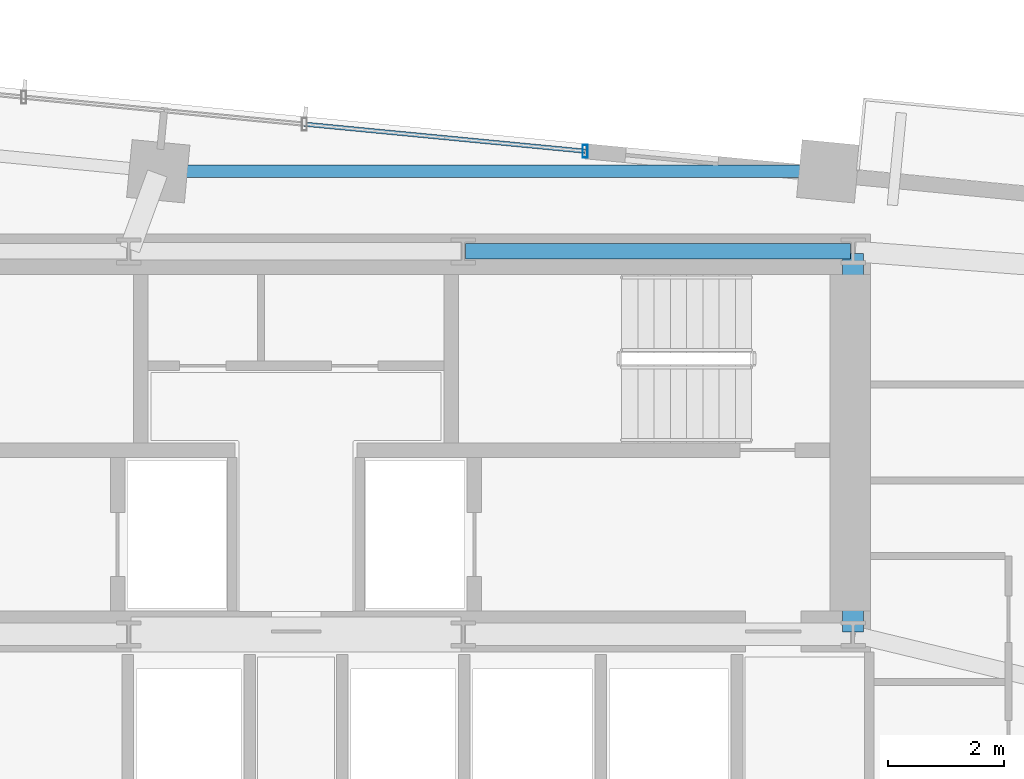
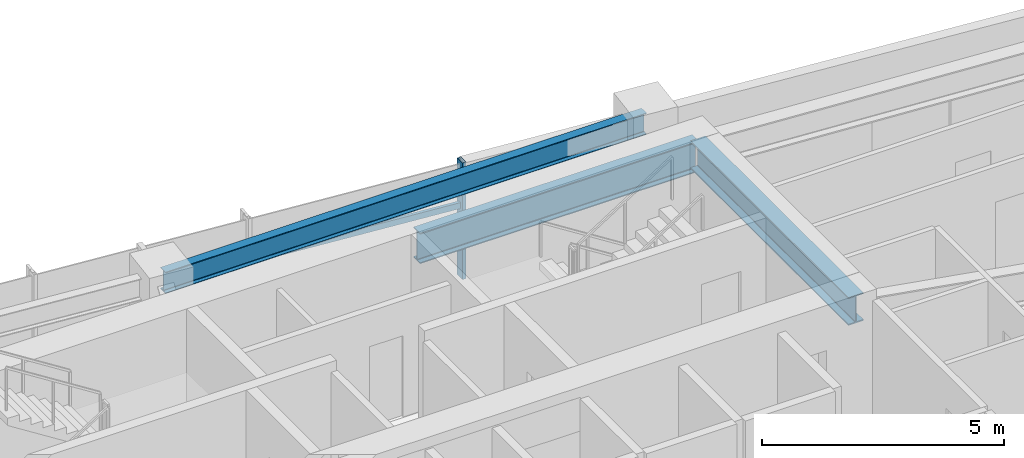
# One storey, part 12 of 20: 3 beams, 2 members, 1 element without a shape of its own.
"""IFC4 building model written with IfcOpenShell, lengths in metres."""

from ifc_helpers import new_model, si_unit, direction, frame, origin, origin_2d, place, context, subcontext, project, spatial, hollow_rectangle, i_section, extrude, source, transform, mapped, material, material_profile, profile_set, type_object, type_shapes, element, aggregate, save


model = new_model("IFC4")

# Units and contexts
model_context = context("Model", 3, precision=1e-05, world=origin(), true_north=direction((0.0, 1.0)))
body_context = subcontext(model_context, "Body", "Model", "MODEL_VIEW")
ifc_project = project(units=[si_unit("LENGTHUNIT", "METRE"), si_unit("AREAUNIT", "SQUARE_METRE"), si_unit("VOLUMEUNIT", "CUBIC_METRE"), si_unit("PLANEANGLEUNIT", "RADIAN"), si_unit("MASSUNIT", "GRAM", prefix="KILO")], contexts=[model_context])

# Site, building, storey
site_placement = place(None, origin())
site = spatial("IfcSite", under=ifc_project, at=site_placement, CompositionType="ELEMENT")
building_placement = place(site_placement, origin())
building = spatial("IfcBuilding", under=site, at=building_placement, Name="Astriad Promenade Condominiums", CompositionType="ELEMENT")
storey_placement = place(building_placement, frame((0.0, 0.0, 153.39990234375)))
storey = spatial("IfcBuildingStorey", under=building, at=storey_placement, Name="L44", CompositionType="ELEMENT", Elevation=153.39990234375)

# Beams
ifc_material_1 = material(Name="Steel ASTM A992 Grade 50", Category="steel")
ifc_material_profile_1 = material_profile(ifc_material_1, i_section(OverallWidth=0.267822265625, OverallDepth=0.76953125, WebThickness=0.015625, FlangeThickness=0.025390625, FilletRadius=0.021484375, at=origin_2d()), Name="W30X132")
ifc_profile_set_1 = profile_set([ifc_material_profile_1], Name="Steel ASTM A992 Grade 50")
beam_type_1 = type_object("IfcBeamType", Name="STEEL FLOOR GIRDER W30X132", PredefinedType="BEAM", material=ifc_profile_set_1)
shared_shape_1 = source(origin(), body_context, "Body", "SweptSolid", [
    extrude(i_section(OverallWidth=0.267822265625, OverallDepth=0.76953125, WebThickness=0.015625, FlangeThickness=0.025390625, FilletRadius=0.021484375, at=origin_2d()), origin(), (0.0, 0.0, 1.0), 6.64013671875),
])
type_shapes(beam_type_1, [shared_shape_1])
beam_1_placement = place(storey_placement, frame((38.919921875, 24.0, 2.55517578125), z_axis=(1.0, 0.0, 0.0), x_axis=(0.0, 1.0, 0.0)))
element("IfcBeam", 1, at=beam_1_placement, inside=storey, type_object=beam_type_1, Name="Core Ring Beam CG-N3-L44", PredefinedType="BEAM", context=body_context, shape_type="MappedRepresentation", body=[
    mapped(shared_shape_1, transform((0.0, 0.0, 0.0), scale=1.0)),
])
ifc_material_profile_2 = material_profile(ifc_material_1, i_section(OverallWidth=0.35791015625, OverallDepth=0.706298828125, WebThickness=0.018310546875, FlangeThickness=0.0302734375, FilletRadius=0.020263671875, at=origin_2d()), Name="W27X178")
ifc_profile_set_2 = profile_set([ifc_material_profile_2], Name="Steel ASTM A992 Grade 50")
beam_type_2 = type_object("IfcBeamType", Name="STEEL FLOOR GIRDER W27X178", PredefinedType="BEAM", material=ifc_profile_set_2)
shared_shape_2 = source(origin(), body_context, "Body", "SweptSolid", [
    extrude(i_section(OverallWidth=0.35791015625, OverallDepth=0.706298828125, WebThickness=0.018310546875, FlangeThickness=0.0302734375, FilletRadius=0.020263671875, at=origin_2d()), origin(), (0.0, 0.0, 1.0), 6.52001953125),
])
type_shapes(beam_type_2, [shared_shape_2])
beam_2_placement = place(storey_placement, frame((45.60009765625, 17.43994140625, 2.5869140625), z_axis=(0.0, 1.0, 0.0), x_axis=(-1.0, 0.0, 0.0)))
element("IfcBeam", 2, at=beam_2_placement, inside=storey, type_object=beam_type_2, Name="Core Ring Beam CG-E1-L44", PredefinedType="BEAM", context=body_context, shape_type="MappedRepresentation", body=[
    mapped(shared_shape_2, transform((0.0, 0.0, 0.0), scale=1.0)),
])
ifc_material_profile_3 = material_profile(ifc_material_1, i_section(OverallWidth=0.210693359375, OverallDepth=0.53955078125, WebThickness=0.01171875, FlangeThickness=0.018798828125, FilletRadius=0.0166015625, at=origin_2d()), Name="W21X73")
ifc_profile_set_3 = profile_set([ifc_material_profile_3], Name="Steel ASTM A992 Grade 50")
beam_type_3 = type_object("IfcBeamType", Name="STEEL SPANDREL BEAM W21X73", PredefinedType="SPANDREL", material=ifc_profile_set_3)
shared_shape_3 = source(origin(), body_context, "Body", "SweptSolid", [
    extrude(i_section(OverallWidth=0.210693359375, OverallDepth=0.53955078125, WebThickness=0.01171875, FlangeThickness=0.018798828125, FilletRadius=0.0166015625, at=origin_2d()), origin(), (0.0, 0.0, 1.0), 11.466552734375),
])
type_shapes(beam_type_3, [shared_shape_3])
beam_3_placement = place(storey_placement, frame((45.1328125, 25.3798828125, 2.67041015625), z_axis=(-0.999999999093, 4.258309e-05, 0.0), x_axis=(-4.258309e-05, -0.999999999093, 0.0)))
element("IfcBeam", 3, at=beam_3_placement, inside=storey, type_object=beam_type_3, Name="Perimeter Spandrel Beam SP-N3-L44", PredefinedType="SPANDREL", context=body_context, shape_type="MappedRepresentation", body=[
    mapped(shared_shape_3, transform((0.0, 0.0, 0.0), scale=1.0)),
])

# Curtain wall, members
ifc_material_2 = material(Name="Anodised aluminium Black Dark Glass Unitised", Category="aluminium")
curtain_wall_type = type_object("IfcCurtainWallType", Name="CW-B34-DARK", PredefinedType="USERDEFINED", material=ifc_material_2)
curtain_wall_placement = place(storey_placement, origin())
curtain_wall = element("IfcCurtainWall", 4, at=curtain_wall_placement, inside=storey, type_object=curtain_wall_type, Name="CW-L44-N", ObjectType="UNITISED_CURTAIN_WALL", PredefinedType="USERDEFINED")
ifc_material_3 = material(Name="Anodised aluminium 6063-T6 Black", Category="aluminium")
ifc_material_profile_4 = material_profile(ifc_material_3, hollow_rectangle(XDim=0.074951171875, YDim=0.14990234375, WallThickness=0.004150390625, at=origin_2d()), Name="ALU-TRN-75X150")
ifc_profile_set_4 = profile_set([ifc_material_profile_4], Name="Anodised aluminium 6063-T6 Black")
member_type_1 = type_object("IfcMemberType", Name="TRN-ALU-TRN-75X150", PredefinedType="USERDEFINED", material=ifc_profile_set_4)
shared_shape_4 = source(origin(), body_context, "Body", "SweptSolid", [
    extrude(hollow_rectangle(XDim=0.074951171875, YDim=0.14990234375, WallThickness=0.004150390625, at=origin_2d()), origin(), (0.0, 0.0, 1.0), 4.860107421875),
])
type_shapes(member_type_1, [shared_shape_4])
member_1_placement = place(storey_placement, frame((36.145751953125, 26.1923828125, 1.822998046875), z_axis=(0.995400834012, -0.095797597298, 0.0), x_axis=(0.095797597298, 0.995400834012, 0.0)))
member_1 = element("IfcMember", 5, at=member_1_placement, type_object=member_type_1, Name="CW-L44-N-TRN-02-0", ObjectType="TRANSOM", PredefinedType="USERDEFINED", context=body_context, shape_type="MappedRepresentation", body=[
    mapped(shared_shape_4, transform((0.0, 0.0, 0.0), scale=1.0)),
])
ifc_material_profile_5 = material_profile(ifc_material_3, hollow_rectangle(XDim=0.0849609375, YDim=0.219970703125, WallThickness=0.0048828125, at=origin_2d()), Name="ALU-MUL-85X220")
ifc_profile_set_5 = profile_set([ifc_material_profile_5], Name="Anodised aluminium 6063-T6 Black")
member_type_2 = type_object("IfcMemberType", Name="MUL-ALU-MUL-85X220", PredefinedType="MULLION", material=ifc_profile_set_5)
shared_shape_5 = source(origin(), body_context, "Body", "SweptSolid", [
    extrude(hollow_rectangle(XDim=0.0849609375, YDim=0.219970703125, WallThickness=0.0048828125, at=origin_2d()), origin(), (0.0, 0.0, 1.0), 2.940185546875),
])
type_shapes(member_type_2, [shared_shape_5])
member_2_placement = place(storey_placement, frame((40.9833984375, 25.726806640625, 0.0), z_axis=(0.0, 0.0, 1.0), x_axis=(1.0, 0.0, 0.0)))
member_2 = element("IfcMember", 6, at=member_2_placement, type_object=member_type_2, Name="CW-L44-N-MUL-03", PredefinedType="MULLION", context=body_context, shape_type="MappedRepresentation", body=[
    mapped(shared_shape_5, transform((0.0, 0.0, 0.0), scale=1.0)),
])
aggregate(curtain_wall, [member_2, member_1])

save(model, "model.ifc")
